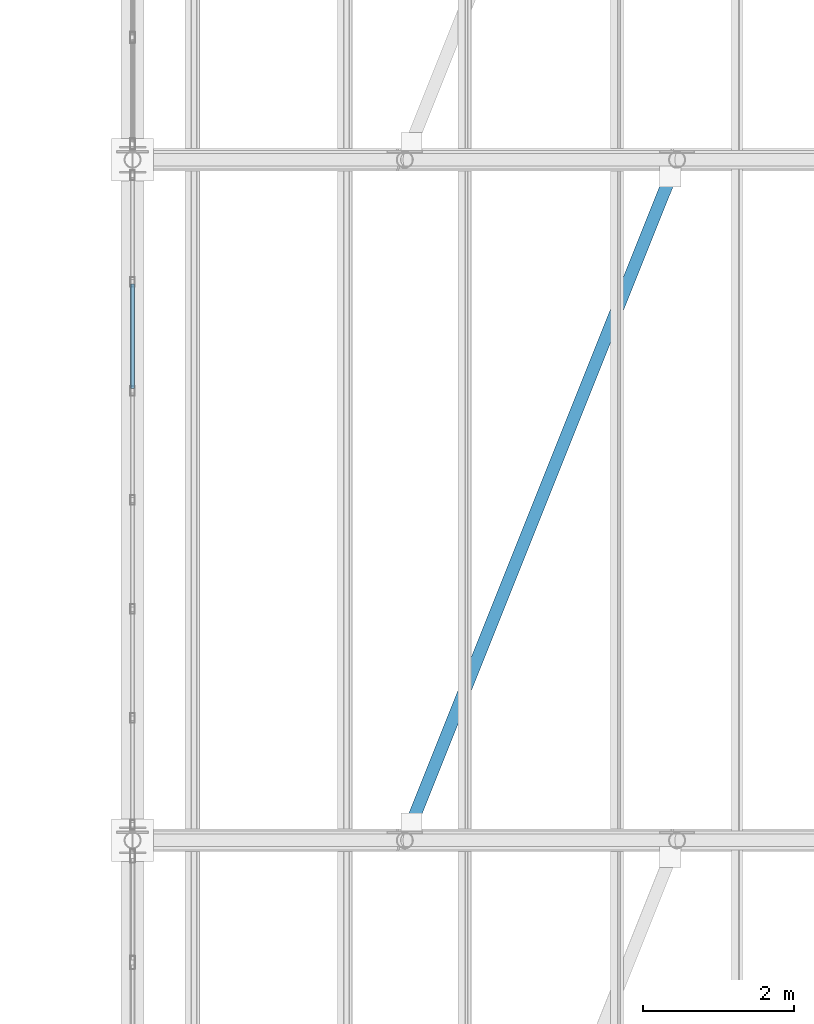
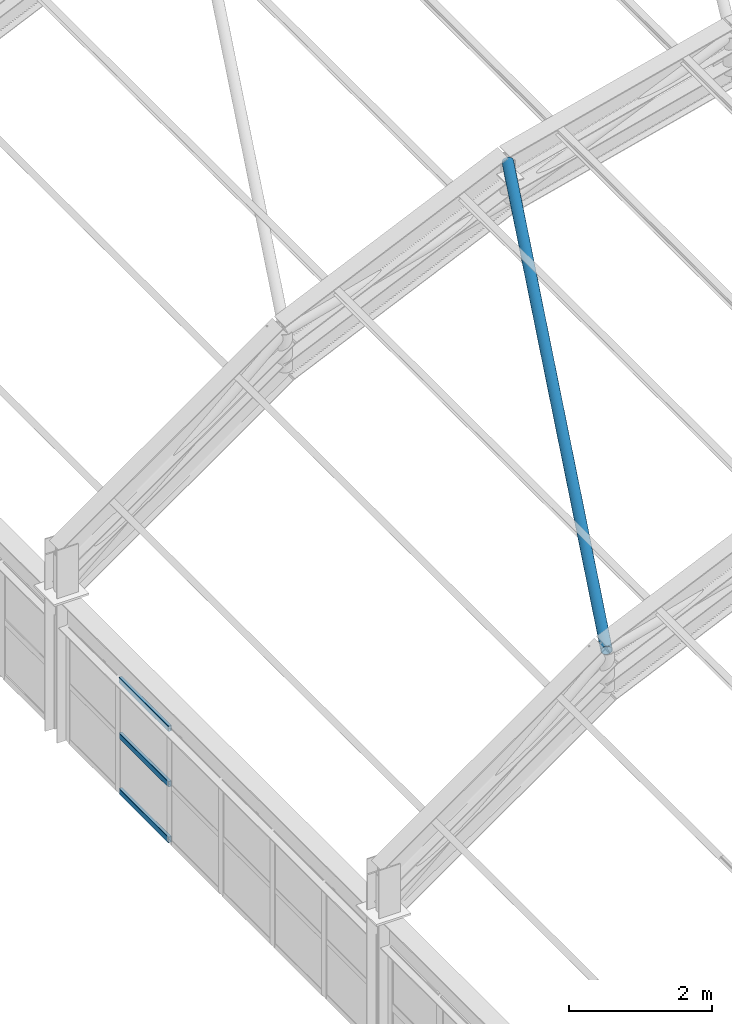
# One storey, part 33 of 121: 4 members, 1 element without a shape of its own.
"""IFC4 building model written with IfcOpenShell, lengths in metres."""

from ifc_helpers import new_model, si_unit, direction, frame, origin, origin_2d, place, context, subcontext, project, spatial, hollow_rectangle, hollow_circle, extrude, material, material_profile, profile_set, type_object, element, aggregate, save


model = new_model("IFC4")

# Units and contexts
model_context = context("Model", 3, precision=1e-05, world=origin(), true_north=direction((0.0, 1.0)))
body_context = subcontext(model_context, "Body", "Model", "MODEL_VIEW")
ifc_project = project(units=[si_unit("LENGTHUNIT", "METRE"), si_unit("AREAUNIT", "SQUARE_METRE"), si_unit("VOLUMEUNIT", "CUBIC_METRE"), si_unit("PLANEANGLEUNIT", "RADIAN"), si_unit("MASSUNIT", "GRAM", prefix="KILO")], contexts=[model_context])

# Site, building, storey
site_placement = place(None, origin())
site = spatial("IfcSite", under=ifc_project, at=site_placement, CompositionType="ELEMENT")
building_placement = place(site_placement, origin())
building = spatial("IfcBuilding", under=site, at=building_placement, Name="Canglan Escarpment Cableway Terminal", CompositionType="ELEMENT")
storey_placement = place(building_placement, frame((0.0, 0.0, 24.60009765625)))
storey = spatial("IfcBuildingStorey", under=building, at=storey_placement, Name="L05", CompositionType="ELEMENT", Elevation=24.60009765625)

# Curtain wall, members
ifc_material_1 = material(Name="Anodized bronze aluminium and Low-E double glazing", Category="aluminium")
curtain_wall_type = type_object("IfcCurtainWallType", Name="CW-BAY-8650x1950", PredefinedType="NOTDEFINED", material=ifc_material_1)
curtain_wall_placement = place(storey_placement, origin())
curtain_wall = element("IfcCurtainWall", 1, at=curtain_wall_placement, inside=storey, type_object=curtain_wall_type, Name="Classical bay-between-piers glazed curtain wall CW-66", PredefinedType="NOTDEFINED")
ifc_material_2 = material(Name="Thermally broken anodized aluminium 6063-T6", Category="aluminium")
ifc_material_profile_1 = material_profile(ifc_material_2, hollow_rectangle(XDim=0.054931640625, YDim=0.094970703125, WallThickness=0.0029296875, InnerFilletRadius=0.0029296875, OuterFilletRadius=0.006103515625, at=origin_2d()), Name="ALU-TRAN 55x95x3")
ifc_profile_set_1 = profile_set([ifc_material_profile_1], Name="Thermally broken anodized aluminium 6063-T6")
member_type_1 = type_object("IfcMemberType", Name="CWT-01", PredefinedType="USERDEFINED", material=ifc_profile_set_1)
member_1_placement = place(storey_placement, frame((137.60009765625, 68.353271484375, 0.02734375), z_axis=(0.0, -1.0, 0.0), x_axis=(1.0, 0.0, 0.0)))
member_1 = element("IfcMember", 2, at=member_1_placement, type_object=member_type_1, Name="CW-66 transom 2.1", ObjectType="TRANSOM", PredefinedType="USERDEFINED", context=body_context, shape_type="SweptSolid", body=[
    extrude(hollow_rectangle(XDim=0.054931640625, YDim=0.094970703125, WallThickness=0.0029296875, InnerFilletRadius=0.0029296875, OuterFilletRadius=0.006103515625, at=origin_2d()), origin(), (0.0, 0.0, 1.0), 1.381591796875),
])
member_2_placement = place(storey_placement, frame((137.60009765625, 68.353271484375, 0.974853515625), z_axis=(0.0, -1.0, 0.0), x_axis=(1.0, 0.0, 0.0)))
member_2 = element("IfcMember", 3, at=member_2_placement, type_object=member_type_1, Name="CW-66 transom 2.2", ObjectType="TRANSOM", PredefinedType="USERDEFINED", context=body_context, shape_type="SweptSolid", body=[
    extrude(hollow_rectangle(XDim=0.054931640625, YDim=0.094970703125, WallThickness=0.0029296875, InnerFilletRadius=0.0029296875, OuterFilletRadius=0.006103515625, at=origin_2d()), origin(), (0.0, 0.0, 1.0), 1.381591796875),
])
member_3_placement = place(storey_placement, frame((137.60009765625, 68.353271484375, 1.92236328125), z_axis=(0.0, -1.0, 0.0), x_axis=(1.0, 0.0, 0.0)))
member_3 = element("IfcMember", 4, at=member_3_placement, type_object=member_type_1, Name="CW-66 transom 2.3", ObjectType="TRANSOM", PredefinedType="USERDEFINED", context=body_context, shape_type="SweptSolid", body=[
    extrude(hollow_rectangle(XDim=0.054931640625, YDim=0.094970703125, WallThickness=0.0029296875, InnerFilletRadius=0.0029296875, OuterFilletRadius=0.006103515625, at=origin_2d()), origin(), (0.0, 0.0, 1.0), 1.381591796875),
])
aggregate(curtain_wall, [member_1, member_2, member_3])

# Member
ifc_material_3 = material(Name="Steel Q355B", Category="steel")
ifc_material_profile_2 = material_profile(ifc_material_3, hollow_circle(Radius=0.084228515625, WallThickness=0.006103515625, at=origin_2d()), Name="CHS 168.3x6")
ifc_profile_set_2 = profile_set([ifc_material_profile_2], Name="Steel Q355B")
member_type_2 = type_object("IfcMemberType", Name="MB-ROOF-BR-CHS168", PredefinedType="BRACE", material=ifc_profile_set_2)
member_4_placement = place(storey_placement, frame((141.199951171875, 61.0, 5.616455078125), z_axis=(0.366307573698, 0.915744093096, 0.165019748547), x_axis=(-0.928473216852, 0.37139936132, 0.0)))
element("IfcMember", 5, at=member_4_placement, inside=storey, type_object=member_type_2, Name="Vault roof plane wind brace BR-03", PredefinedType="BRACE", context=body_context, shape_type="SweptSolid", body=[
    extrude(hollow_circle(Radius=0.084228515625, WallThickness=0.006103515625, at=origin_2d()), origin(), (0.0, 0.0, 1.0), 9.828125),
])

save(model, "model.ifc")
